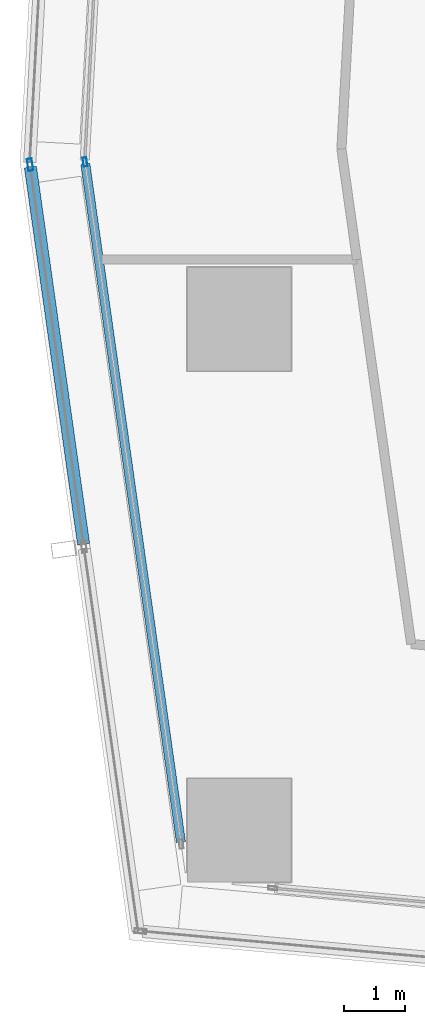
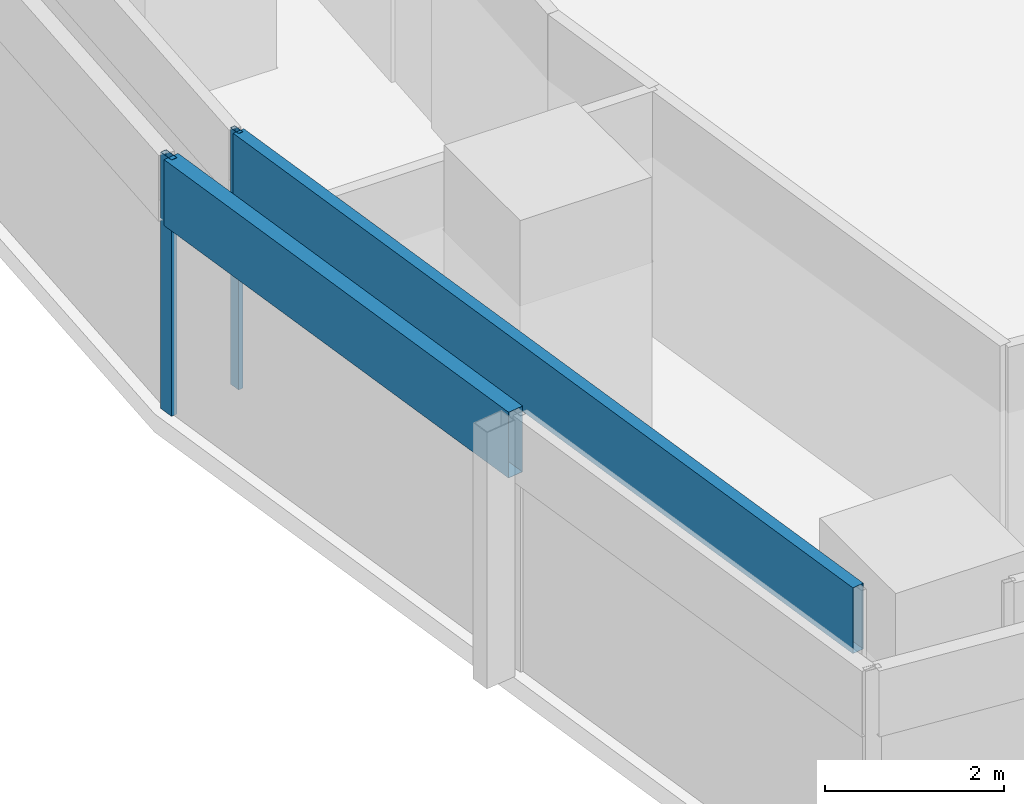
# One storey, part 4 of 40: 4 members, 2 elements without a shape of their own.
"""IFC4 building model written with IfcOpenShell, lengths in metres."""

from ifc_helpers import new_model, si_unit, direction, frame, origin, origin_2d, place, context, subcontext, project, spatial, hollow_rectangle, extrude, material, material_profile, profile_set, type_object, element, aggregate, save


model = new_model("IFC4")

# Units and contexts
model_context = context("Model", 3, precision=1e-05, world=origin(), true_north=direction((0.0, 1.0)))
body_context = subcontext(model_context, "Body", "Model", "MODEL_VIEW")
ifc_project = project(units=[si_unit("LENGTHUNIT", "METRE"), si_unit("AREAUNIT", "SQUARE_METRE"), si_unit("VOLUMEUNIT", "CUBIC_METRE"), si_unit("PLANEANGLEUNIT", "RADIAN"), si_unit("MASSUNIT", "GRAM", prefix="KILO")], contexts=[model_context])

# Site, building, storey
site_placement = place(None, origin())
site = spatial("IfcSite", under=ifc_project, at=site_placement, CompositionType="ELEMENT")
building_placement = place(site_placement, origin())
building = spatial("IfcBuilding", under=site, at=building_placement, Name="Rekha Terrace Tower", CompositionType="ELEMENT")
storey_placement = place(building_placement, frame((0.0, 0.0, 129.050048828125)))
storey = spatial("IfcBuildingStorey", under=building, at=storey_placement, Name="L32", CompositionType="ELEMENT", Elevation=129.050048828125)

# Curtain wall, members
ifc_material_1 = material(Name="Aluminium framing", Category="aluminium")
curtain_wall_type_1 = type_object("IfcCurtainWallType", Name="CW1 double skin inner glazing", PredefinedType="USERDEFINED", material=ifc_material_1)
curtain_wall_1_placement = place(storey_placement, origin())
curtain_wall_1 = element("IfcCurtainWall", 1, at=curtain_wall_1_placement, inside=storey, type_object=curtain_wall_type_1, Name="CW1 double skin inner glazing", ObjectType="DOUBLE SKIN INNER GLAZING", PredefinedType="USERDEFINED")
ifc_material_2 = material(Name="Aluminium mullion section", Category="aluminium")
ifc_material_profile_1 = material_profile(ifc_material_2, hollow_rectangle(XDim=0.06494140625, YDim=0.14990234375, WallThickness=0.00390625, at=origin_2d()), Name="AL RHS 65x150")
ifc_profile_set_1 = profile_set([ifc_material_profile_1], Name="Aluminium mullion section")
member_type_1 = type_object("IfcMemberType", Name="CW1 mullion RHS 65 x 150", PredefinedType="MULLION", material=ifc_profile_set_1)
member_1_placement = place(storey_placement, frame((5.86865234375, 27.78125, 0.0), z_axis=(0.0, 0.0, 1.0), x_axis=(0.990208394312, 0.139597048082, 0.0)))
member_1 = element("IfcMember", 2, at=member_1_placement, type_object=member_type_1, Name="CW1 mullion 1", PredefinedType="MULLION", context=body_context, shape_type="SweptSolid", body=[
    extrude(hollow_rectangle(XDim=0.06494140625, YDim=0.14990234375, WallThickness=0.00390625, at=origin_2d()), origin(), (0.0, 0.0, 1.0), 3.5),
])
ifc_material_3 = material(Name="Insulated aluminium spandrel box", Category="aluminium")
ifc_material_profile_2 = material_profile(ifc_material_3, hollow_rectangle(XDim=0.14990234375, YDim=0.89990234375, WallThickness=0.0029296875, at=origin_2d()), Name="AL SPANDREL BOX 150x900")
ifc_profile_set_2 = profile_set([ifc_material_profile_2], Name="Insulated aluminium spandrel box")
member_type_2 = type_object("IfcMemberType", Name="CW1 spandrel transom 150 x 900", PredefinedType="USERDEFINED", material=ifc_profile_set_2)
member_2_placement = place(storey_placement, frame((5.873046875, 27.7490234375, 3.050048828125), z_axis=(0.139607844155, -0.99020687225, 0.0), x_axis=(0.99020687225, 0.139607844155, 0.0)))
member_2 = element("IfcMember", 3, at=member_2_placement, type_object=member_type_2, Name="CW1 spandrel transom 1", ObjectType="TRANSOM", PredefinedType="USERDEFINED", context=body_context, shape_type="SweptSolid", body=[
    extrude(hollow_rectangle(XDim=0.14990234375, YDim=0.89990234375, WallThickness=0.0029296875, at=origin_2d()), origin(), (0.0, 0.0, 1.0), 11.253173828125),
])
aggregate(curtain_wall_1, [member_1, member_2])

curtain_wall_type_2 = type_object("IfcCurtainWallType", Name="CW2 double skin outer glazing", PredefinedType="USERDEFINED", material=ifc_material_1)
curtain_wall_2_placement = place(storey_placement, origin())
curtain_wall_2 = element("IfcCurtainWall", 4, at=curtain_wall_2_placement, inside=storey, type_object=curtain_wall_type_2, Name="CW2 double skin outer glazing", ObjectType="DOUBLE SKIN OUTER GLAZING", PredefinedType="USERDEFINED")
ifc_material_profile_3 = material_profile(ifc_material_2, hollow_rectangle(XDim=0.080078125, YDim=0.199951171875, WallThickness=0.00390625, at=origin_2d()), Name="AL RHS 80x200")
ifc_profile_set_3 = profile_set([ifc_material_profile_3], Name="Aluminium mullion section")
member_type_3 = type_object("IfcMemberType", Name="CW2 mullion RHS 80 x 200", PredefinedType="MULLION", material=ifc_profile_set_3)
member_3_placement = place(storey_placement, frame((4.96630859375, 27.7353515625, 0.0), z_axis=(0.0, 0.0, 1.0), x_axis=(0.990208394312, 0.139597048082, 0.0)))
member_3 = element("IfcMember", 5, at=member_3_placement, type_object=member_type_3, Name="CW2 mullion 1", PredefinedType="MULLION", context=body_context, shape_type="SweptSolid", body=[
    extrude(hollow_rectangle(XDim=0.080078125, YDim=0.199951171875, WallThickness=0.00390625, at=origin_2d()), origin(), (0.0, 0.0, 1.0), 3.5),
])
ifc_material_profile_4 = material_profile(ifc_material_3, hollow_rectangle(XDim=0.199951171875, YDim=0.89990234375, WallThickness=0.0029296875, at=origin_2d()), Name="AL SPANDREL BOX 200x900")
ifc_profile_set_4 = profile_set([ifc_material_profile_4], Name="Insulated aluminium spandrel box")
member_type_4 = type_object("IfcMemberType", Name="CW2 spandrel transom 200 x 900", PredefinedType="USERDEFINED", material=ifc_profile_set_4)
member_4_placement = place(storey_placement, frame((4.9716796875, 27.695556640625, 3.050048828125), z_axis=(0.139596256865, -0.990208505856, 0.0), x_axis=(0.990208505856, 0.139596256865, 0.0)))
member_4 = element("IfcMember", 6, at=member_4_placement, type_object=member_type_4, Name="CW2 spandrel transom 1", ObjectType="TRANSOM", PredefinedType="USERDEFINED", context=body_context, shape_type="SweptSolid", body=[
    extrude(hollow_rectangle(XDim=0.199951171875, YDim=0.89990234375, WallThickness=0.0029296875, at=origin_2d()), origin(), (0.0, 0.0, 1.0), 6.255859375),
])
aggregate(curtain_wall_2, [member_3, member_4])

save(model, "model.ifc")
